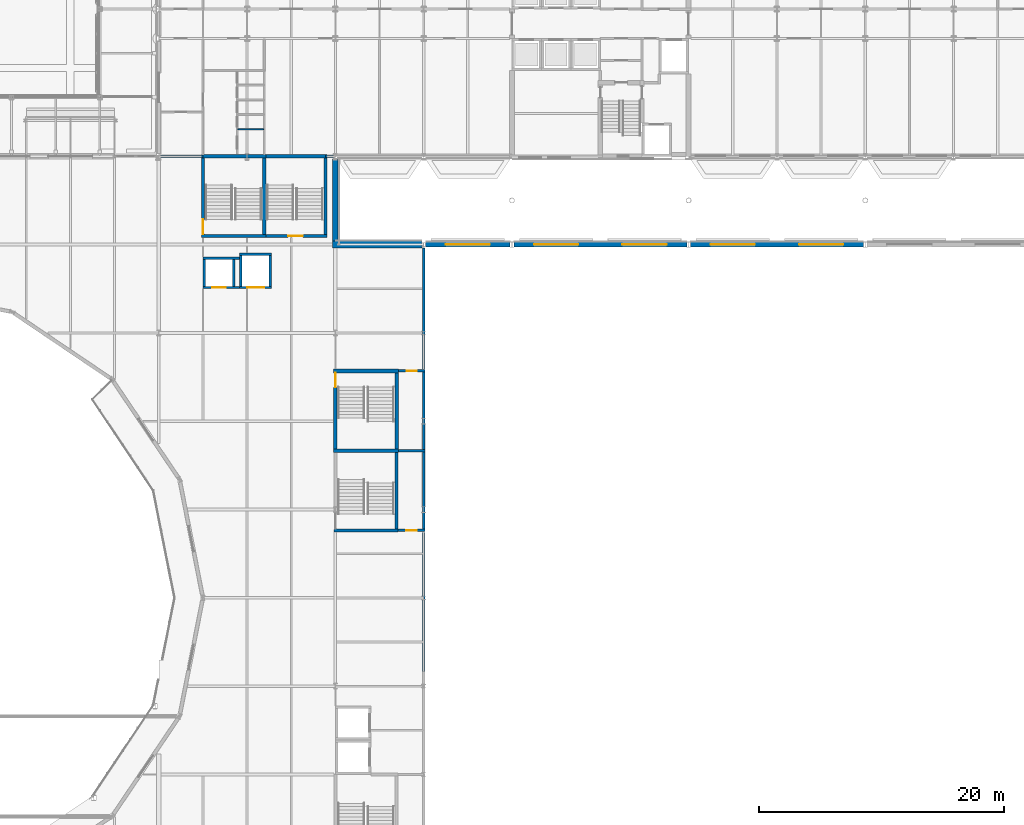
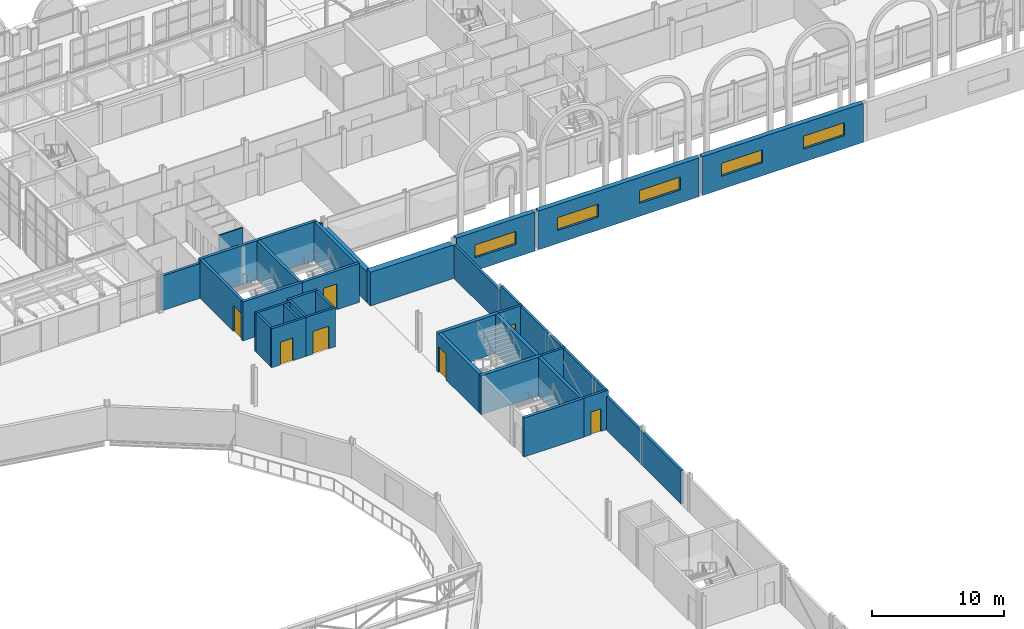
# One storey, part 76 of 143: 37 walls, 7 doors, 5 windows, 12 openings.
"""IFC4 building model written with IfcOpenShell, lengths in metres."""

from ifc_helpers import new_model, si_unit, direction, frame, frame_2d, origin, place, context, subcontext, project, spatial, rectangle, extrude, material, layer, layer_set, type_object, element, fill, save


model = new_model("IFC4")

# Units and contexts
model_context = context("Model", 3, precision=1e-05, world=origin(), true_north=direction((0.0, 1.0)))
body_context = subcontext(model_context, "Body", "Model", "MODEL_VIEW")
ifc_project = project(units=[si_unit("LENGTHUNIT", "METRE"), si_unit("AREAUNIT", "SQUARE_METRE"), si_unit("VOLUMEUNIT", "CUBIC_METRE"), si_unit("PLANEANGLEUNIT", "RADIAN"), si_unit("MASSUNIT", "GRAM", prefix="KILO")], contexts=[model_context])

# Site, building, storey
site_placement = place(None, origin())
site = spatial("IfcSite", under=ifc_project, at=site_placement, CompositionType="ELEMENT")
building_placement = place(site_placement, origin())
building = spatial("IfcBuilding", under=site, at=building_placement, Name="Kupolbacken Congress Centre", CompositionType="ELEMENT")
storey_placement = place(building_placement, frame((0.0, 0.0, 7.199951171875)))
storey = spatial("IfcBuildingStorey", under=building, at=storey_placement, Name="L02", CompositionType="ELEMENT", Elevation=7.199951171875)

# Wall, openings, windows
ifc_material_1 = material(Name="Brick", Category="masonry")
ifc_layer_1 = layer(ifc_material_1, 0.10791015625)
ifc_material_2 = material(Name="Air cavity", Category="air")
ifc_layer_2 = layer(ifc_material_2, 0.0400390625, ventilated=True)
ifc_material_3 = material(Name="Mineral wool", Category="insulation")
ifc_layer_3 = layer(ifc_material_3, 0.152099609375)
ifc_material_4 = material(Name="Concrete block", Category="masonry")
ifc_layer_4 = layer(ifc_material_4, 0.1201171875)
ifc_layer_set_1 = layer_set([ifc_layer_1, ifc_layer_2, ifc_layer_3, ifc_layer_4], Name="Brick / Mineral wool / Concrete block")
wall_type_1 = type_object("IfcWallType", Name="EW04 external cavity wall 420", PredefinedType="SOLIDWALL", material=ifc_layer_set_1)
wall_1_placement = place(storey_placement, frame((122.25, 115.199951171875, 0.0), z_axis=(0.0, 0.0, 1.0), x_axis=(-1.0, 0.0, 0.0)))
wall_1 = element("IfcWall", 1, at=wall_1_placement, inside=storey, type_object=wall_type_1, Name="E/H/N/L02/262", PredefinedType="SOLIDWALL", context=body_context, shape_type="SweptSolid", body=[
    extrude(rectangle(XDim=14.10009765625, YDim=0.419921875, at=frame_2d((7.050048828125, 0.0))), origin(), (0.0, 0.0, 1.0), 3.60009765625),
])
opening_1_placement = place(wall_1_placement, frame((8.85009765625, 0.0, 1.199951171875)))
opening_1 = element("IfcOpeningElement", 2, at=opening_1_placement, cuts=wall_1, Name="Opening W12", PredefinedType="OPENING", context=body_context, shape_type="SweptSolid", body=[
    extrude(rectangle(XDim=3.60009765625, YDim=1.199951171875, at=frame_2d((1.800048828125, 0.60009765625))), frame((0.0, 0.219970703125, 0.0), z_axis=(0.0, -1.0, 0.0), x_axis=(1.0, 0.0, 0.0)), (0.0, 0.0, 1.0), 0.43994140625),
])
opening_2_placement = place(wall_1_placement, frame((1.64990234375, 0.0, 1.199951171875)))
opening_2 = element("IfcOpeningElement", 3, at=opening_2_placement, cuts=wall_1, Name="Opening W12", PredefinedType="OPENING", context=body_context, shape_type="SweptSolid", body=[
    extrude(rectangle(XDim=3.60009765625, YDim=1.199951171875, at=frame_2d((1.800048828125, 0.60009765625))), frame((0.0, 0.219970703125, 0.0), z_axis=(0.0, -1.0, 0.0), x_axis=(1.0, 0.0, 0.0)), (0.0, 0.0, 1.0), 0.43994140625),
])
ifc_material_5 = material(Name="Aluminium frame with double or triple glazing", Category="aluminium")
window_type = type_object("IfcWindowType", Name="W12 window 3600x1200", PartitioningType="TRIPLE_PANEL_VERTICAL", PredefinedType="WINDOW", material=ifc_material_5)
window_1_placement = place(opening_1_placement, origin())
window_1 = element("IfcWindow", 4, at=window_1_placement, inside=storey, type_object=window_type, Name="E/H/N/L02/262/W1", OverallHeight=1.199951171875, OverallWidth=3.60009765625, PartitioningType="SINGLE_PANEL", PredefinedType="WINDOW", context=body_context, shape_type="SweptSolid", body=[
    extrude(rectangle(XDim=3.60009765625, YDim=1.199951171875, at=frame_2d((1.800048828125, 0.60009765625))), frame((0.0, 0.030029296875, 0.0), z_axis=(0.0, -1.0, 0.0), x_axis=(1.0, 0.0, 0.0)), (0.0, 0.0, 1.0), 0.06005859375),
])
fill(opening_1, window_1)
window_2_placement = place(opening_2_placement, origin())
window_2 = element("IfcWindow", 5, at=window_2_placement, inside=storey, type_object=window_type, Name="E/H/N/L02/262/W2", OverallHeight=1.199951171875, OverallWidth=3.60009765625, PartitioningType="SINGLE_PANEL", PredefinedType="WINDOW", context=body_context, shape_type="SweptSolid", body=[
    extrude(rectangle(XDim=3.60009765625, YDim=1.199951171875, at=frame_2d((1.800048828125, 0.60009765625))), frame((0.0, 0.030029296875, 0.0), z_axis=(0.0, -1.0, 0.0), x_axis=(1.0, 0.0, 0.0)), (0.0, 0.0, 1.0), 0.06005859375),
])
fill(opening_2, window_2)

wall_2_placement = place(storey_placement, frame((107.85009765625, 115.199951171875, 0.0), z_axis=(0.0, 0.0, 1.0), x_axis=(-1.0, 0.0, 0.0)))
wall_2 = element("IfcWall", 6, at=wall_2_placement, inside=storey, type_object=wall_type_1, Name="E/H/N/L02/263", PredefinedType="SOLIDWALL", context=body_context, shape_type="SweptSolid", body=[
    extrude(rectangle(XDim=14.10009765625, YDim=0.419921875, at=frame_2d((7.050048828125, 0.0))), origin(), (0.0, 0.0, 1.0), 3.60009765625),
])
opening_3_placement = place(wall_2_placement, frame((8.85009765625, 0.0, 1.199951171875)))
opening_3 = element("IfcOpeningElement", 7, at=opening_3_placement, cuts=wall_2, Name="Opening W12", PredefinedType="OPENING", context=body_context, shape_type="SweptSolid", body=[
    extrude(rectangle(XDim=3.60009765625, YDim=1.199951171875, at=frame_2d((1.800048828125, 0.60009765625))), frame((0.0, 0.219970703125, 0.0), z_axis=(0.0, -1.0, 0.0), x_axis=(1.0, 0.0, 0.0)), (0.0, 0.0, 1.0), 0.43994140625),
])
opening_4_placement = place(wall_2_placement, frame((1.64990234375, 0.0, 1.199951171875)))
opening_4 = element("IfcOpeningElement", 8, at=opening_4_placement, cuts=wall_2, Name="Opening W12", PredefinedType="OPENING", context=body_context, shape_type="SweptSolid", body=[
    extrude(rectangle(XDim=3.60009765625, YDim=1.199951171875, at=frame_2d((1.800048828125, 0.60009765625))), frame((0.0, 0.219970703125, 0.0), z_axis=(0.0, -1.0, 0.0), x_axis=(1.0, 0.0, 0.0)), (0.0, 0.0, 1.0), 0.43994140625),
])
window_3_placement = place(opening_3_placement, origin())
window_3 = element("IfcWindow", 9, at=window_3_placement, inside=storey, type_object=window_type, Name="E/H/N/L02/263/W1", OverallHeight=1.199951171875, OverallWidth=3.60009765625, PartitioningType="SINGLE_PANEL", PredefinedType="WINDOW", context=body_context, shape_type="SweptSolid", body=[
    extrude(rectangle(XDim=3.60009765625, YDim=1.199951171875, at=frame_2d((1.800048828125, 0.60009765625))), frame((0.0, 0.030029296875, 0.0), z_axis=(0.0, -1.0, 0.0), x_axis=(1.0, 0.0, 0.0)), (0.0, 0.0, 1.0), 0.06005859375),
])
fill(opening_3, window_3)
window_4_placement = place(opening_4_placement, origin())
window_4 = element("IfcWindow", 10, at=window_4_placement, inside=storey, type_object=window_type, Name="E/H/N/L02/263/W2", OverallHeight=1.199951171875, OverallWidth=3.60009765625, PartitioningType="SINGLE_PANEL", PredefinedType="WINDOW", context=body_context, shape_type="SweptSolid", body=[
    extrude(rectangle(XDim=3.60009765625, YDim=1.199951171875, at=frame_2d((1.800048828125, 0.60009765625))), frame((0.0, 0.030029296875, 0.0), z_axis=(0.0, -1.0, 0.0), x_axis=(1.0, 0.0, 0.0)), (0.0, 0.0, 1.0), 0.06005859375),
])
fill(opening_4, window_4)

# Wall, opening, window
wall_3_placement = place(storey_placement, frame((93.449951171875, 115.199951171875, 0.0), z_axis=(0.0, 0.0, 1.0), x_axis=(-1.0, 0.0, 0.0)))
wall_3 = element("IfcWall", 11, at=wall_3_placement, inside=storey, type_object=wall_type_1, Name="E/H/N/L02/264", PredefinedType="SOLIDWALL", context=body_context, shape_type="SweptSolid", body=[
    extrude(rectangle(XDim=6.89990234375, YDim=0.419921875, at=frame_2d((3.449951171875, 0.0))), origin(), (0.0, 0.0, 1.0), 3.60009765625),
])
opening_5_placement = place(wall_3_placement, frame((1.64990234375, 0.0, 1.199951171875)))
opening_5 = element("IfcOpeningElement", 12, at=opening_5_placement, cuts=wall_3, Name="Opening W12", PredefinedType="OPENING", context=body_context, shape_type="SweptSolid", body=[
    extrude(rectangle(XDim=3.60009765625, YDim=1.199951171875, at=frame_2d((1.800048828125, 0.60009765625))), frame((0.0, 0.219970703125, 0.0), z_axis=(0.0, -1.0, 0.0), x_axis=(1.0, 0.0, 0.0)), (0.0, 0.0, 1.0), 0.43994140625),
])
window_5_placement = place(opening_5_placement, origin())
window_5 = element("IfcWindow", 13, at=window_5_placement, inside=storey, type_object=window_type, Name="E/H/N/L02/264/W1", OverallHeight=1.199951171875, OverallWidth=3.60009765625, PartitioningType="SINGLE_PANEL", PredefinedType="WINDOW", context=body_context, shape_type="SweptSolid", body=[
    extrude(rectangle(XDim=3.60009765625, YDim=1.199951171875, at=frame_2d((1.800048828125, 0.60009765625))), frame((0.0, 0.030029296875, 0.0), z_axis=(0.0, -1.0, 0.0), x_axis=(1.0, 0.0, 0.0)), (0.0, 0.0, 1.0), 0.06005859375),
])
fill(opening_5, window_5)

# Walls
ifc_material_6 = material(Name="Limestone", Category="masonry")
ifc_layer_5 = layer(ifc_material_6, 0.1201171875)
ifc_layer_6 = layer(ifc_material_2, 0.0400390625, ventilated=True)
ifc_layer_7 = layer(ifc_material_3, 0.159912109375)
ifc_layer_8 = layer(ifc_material_4, 0.1201171875)
ifc_layer_set_2 = layer_set([ifc_layer_5, ifc_layer_6, ifc_layer_7, ifc_layer_8], Name="Limestone / Mineral wool / Concrete block")
wall_type_2 = type_object("IfcWallType", Name="EW05 external cavity wall 440", PredefinedType="SOLIDWALL", material=ifc_layer_set_2)
wall_4_placement = place(storey_placement, frame((79.199951171875, 115.47998046875, 0.0), z_axis=(0.0, 0.0, 1.0), x_axis=(0.0, 1.0, 0.0)))
element("IfcWall", 14, at=wall_4_placement, inside=storey, type_object=wall_type_2, Name="E/P/E/L02/276", PredefinedType="SOLIDWALL", context=body_context, shape_type="SweptSolid", body=[
    extrude(rectangle(XDim=6.7041015625, YDim=0.43994140625, at=frame_2d((3.35205078125, 0.0))), origin(), (0.0, 0.0, 1.0), 2.820068359375),
])
ifc_material_7 = material(Name="Concrete C40/50", Category="concrete")
ifc_layer_9 = layer(ifc_material_7, 0.199951171875)
ifc_layer_10 = layer(ifc_material_3, 0.199951171875)
ifc_layer_11 = layer(ifc_material_2, 0.0400390625, ventilated=True)
ifc_layer_12 = layer(ifc_material_6, 0.1201171875)
ifc_layer_set_3 = layer_set([ifc_layer_9, ifc_layer_10, ifc_layer_11, ifc_layer_12], Name="Concrete C40/50 / Mineral wool / Limestone")
wall_type_3 = type_object("IfcWallType", Name="EW09 external cavity wall 560", PredefinedType="SOLIDWALL", material=ifc_layer_set_3)
wall_5_placement = place(storey_placement, frame((86.25, 115.199951171875, 0.0), z_axis=(0.0, 0.0, 1.0), x_axis=(-1.0, 0.0, 0.0)))
element("IfcWall", 15, at=wall_5_placement, inside=storey, type_object=wall_type_3, Name="E/LINK/N/L02/274", PredefinedType="SOLIDWALL", context=body_context, shape_type="SweptSolid", body=[
    extrude(rectangle(XDim=7.27001953125, YDim=0.56005859375, at=frame_2d((3.635009765625, 0.0))), origin(), (0.0, 0.0, 1.0), 3.1201171875),
])
ifc_material_8 = material(Name="Gypsum board", Category="drywall")
ifc_layer_13 = layer(ifc_material_8, 0.114990234375)
ifc_layer_set_4 = layer_set([ifc_layer_13], Name="Gypsum board")
wall_type_4 = type_object("IfcWallType", Name="P04 partition 115", PredefinedType="PARTITIONING", material=ifc_layer_set_4)
wall_6_placement = place(storey_placement, frame((71.257568359375, 124.60009765625, 0.0), z_axis=(0.0, 0.0, 1.0), x_axis=(1.0, 0.0, 0.0)))
element("IfcWall", 16, at=wall_6_placement, inside=storey, type_object=wall_type_4, Name="T/wall/L02/x/12460/7120", PredefinedType="PARTITIONING", context=body_context, shape_type="SweptSolid", body=[
    extrude(rectangle(XDim=2.0849609375, YDim=0.114990234375, at=frame_2d((1.04248046875, 0.0))), origin(), (0.0, 0.0, 1.0), 3.420166015625),
])
ifc_material_9 = material(Name="Gypsum board", Category="drywall")
ifc_layer_14 = layer(ifc_material_9, 0.22509765625)
ifc_layer_set_5 = layer_set([ifc_layer_14], Name="Gypsum board")
wall_type_5 = type_object("IfcWallType", Name="P11 compartment wall 225", PredefinedType="PARTITIONING", material=ifc_layer_set_5)
wall_7_placement = place(storey_placement, frame((64.949951171875, 122.39990234375, 0.0), z_axis=(0.0, 0.0, 1.0), x_axis=(1.0, 0.0, 0.0)))
element("IfcWall", 17, at=wall_7_placement, inside=storey, type_object=wall_type_5, Name="E/T/party/L02/05", PredefinedType="PARTITIONING", context=body_context, shape_type="SweptSolid", body=[
    extrude(rectangle(XDim=3.449951171875, YDim=0.22509765625, at=frame_2d((1.72509765625, 0.0))), origin(), (0.0, 0.0, 1.0), 3.219970703125),
])
wall_8_placement = place(storey_placement, frame((78.39990234375, 122.39990234375, 0.0), z_axis=(0.0, 0.0, 1.0), x_axis=(1.0, 0.0, 0.0)))
element("IfcWall", 18, at=wall_8_placement, inside=storey, type_object=wall_type_5, Name="E/T/party/L02/06", PredefinedType="PARTITIONING", context=body_context, shape_type="SweptSolid", body=[
    extrude(rectangle(XDim=0.646484375, YDim=0.22509765625, at=frame_2d((0.3232421875, 0.0))), origin(), (0.0, 0.0, 1.0), 3.219970703125),
])
ifc_material_10 = material(Name="Dense concrete block", Category="masonry")
ifc_layer_15 = layer(ifc_material_10, 0.215087890625)
ifc_layer_set_6 = layer_set([ifc_layer_15], Name="Dense concrete block")
wall_type_6 = type_object("IfcWallType", Name="P15 partition 215", PredefinedType="PARTITIONING", material=ifc_layer_set_6)
wall_9_placement = place(storey_placement, frame((86.39990234375, 80.39990234375, 0.0), z_axis=(0.0, 0.0, 1.0), x_axis=(0.0, 1.0, 0.0)))
element("IfcWall", 19, at=wall_9_placement, inside=storey, type_object=wall_type_6, Name="PD/L02/W008", PredefinedType="PARTITIONING", context=body_context, shape_type="SweptSolid", body=[
    extrude(rectangle(XDim=11.340087890625, YDim=0.215087890625, at=frame_2d((5.669921875, 0.0))), origin(), (0.0, 0.0, 1.0), 3.1201171875),
])
wall_10_placement = place(storey_placement, frame((86.39990234375, 105.06005859375, 0.0), z_axis=(0.0, 0.0, 1.0), x_axis=(0.0, 1.0, 0.0)))
element("IfcWall", 20, at=wall_10_placement, inside=storey, type_object=wall_type_6, Name="PD/L02/W009", PredefinedType="PARTITIONING", context=body_context, shape_type="SweptSolid", body=[
    extrude(rectangle(XDim=2.794921875, YDim=0.215087890625, at=frame_2d((1.3974609375, 0.0))), origin(), (0.0, 0.0, 1.0), 3.60009765625),
])
wall_11_placement = place(storey_placement, frame((86.39990234375, 107.85498046875, 0.0), z_axis=(0.0, 0.0, 1.0), x_axis=(0.0, 1.0, 0.0)))
element("IfcWall", 21, at=wall_11_placement, inside=storey, type_object=wall_type_6, Name="PD/L02/W009.h1", PredefinedType="PARTITIONING", context=body_context, shape_type="SweptSolid", body=[
    extrude(rectangle(XDim=7.06494140625, YDim=0.215087890625, at=frame_2d((3.532470703125, 0.0))), origin(), (0.0, 0.0, 1.0), 3.1201171875),
])

# Wall, opening, door
ifc_material_11 = material(Name="Concrete C40/50", Category="concrete")
ifc_layer_16 = layer(ifc_material_11, 0.199951171875)
ifc_layer_set_7 = layer_set([ifc_layer_16], Name="Concrete C40/50")
wall_type_7 = type_object("IfcWallType", Name="WC1 RC shaft wall 200", PredefinedType="SHEAR", material=ifc_layer_set_7)
wall_12_placement = place(storey_placement, frame((84.324951171875, 91.89990234375, 0.0), z_axis=(0.0, 0.0, 1.0), x_axis=(1.0, 0.0, 0.0)))
wall_12 = element("IfcWall", 22, at=wall_12_placement, inside=storey, type_object=wall_type_7, Name="Shaft wall L02-053", PredefinedType="SHEAR", context=body_context, shape_type="SweptSolid", body=[
    extrude(rectangle(XDim=2.175048828125, YDim=0.199951171875, at=frame_2d((1.08740234375, 0.0))), origin(), (0.0, 0.0, 1.0), 3.60009765625),
])
opening_6_placement = place(wall_12_placement, frame((0.64990234375, 0.0, 0.0)))
opening_6 = element("IfcOpeningElement", 23, at=opening_6_placement, cuts=wall_12, Name="Opening 2.L08", PredefinedType="OPENING", context=body_context, shape_type="SweptSolid", body=[
    extrude(rectangle(XDim=0.85009765625, YDim=2.10009765625, at=frame_2d((0.425048828125, 1.050048828125))), frame((0.0, 0.10986328125, 0.0), z_axis=(0.0, -1.0, 0.0), x_axis=(1.0, 0.0, 0.0)), (0.0, 0.0, 1.0), 0.219970703125),
])
ifc_material_12 = material(Name="Steel fire door leaf", Category="steel")
door_type_1 = type_object("IfcDoorType", Name="D3 fire door 850x2100", OperationType="SINGLE_SWING_LEFT", PredefinedType="DOOR", material=ifc_material_12)
door_1_placement = place(opening_6_placement, origin())
door_1 = element("IfcDoor", 24, at=door_1_placement, inside=storey, type_object=door_type_1, Name="S/core/L02/053/D2L08", OperationType="SINGLE_SWING_LEFT", OverallHeight=2.10009765625, OverallWidth=0.85009765625, PredefinedType="DOOR", context=body_context, shape_type="SweptSolid", body=[
    extrude(rectangle(XDim=0.85009765625, YDim=2.10009765625, at=frame_2d((0.425048828125, 1.050048828125))), frame((0.0, 0.02490234375, 0.0), z_axis=(0.0, -1.0, 0.0), x_axis=(1.0, 0.0, 0.0)), (0.0, 0.0, 1.0), 0.050048828125),
])
fill(opening_6, door_1)

# Walls
wall_13_placement = place(storey_placement, frame((86.39990234375, 91.800048828125, 0.0), z_axis=(0.0, 0.0, 1.0), x_axis=(0.0, 1.0, 0.0)))
element("IfcWall", 25, at=wall_13_placement, inside=storey, type_object=wall_type_7, Name="Shaft wall L02-055", PredefinedType="SHEAR", context=body_context, shape_type="SweptSolid", body=[
    extrude(rectangle(XDim=6.699951171875, YDim=0.199951171875, at=frame_2d((3.35009765625, 0.0))), origin(), (0.0, 0.0, 1.0), 3.60009765625),
])
wall_14_placement = place(storey_placement, frame((84.35009765625, 98.39990234375, 0.0), z_axis=(0.0, 0.0, 1.0), x_axis=(1.0, 0.0, 0.0)))
element("IfcWall", 26, at=wall_14_placement, inside=storey, type_object=wall_type_7, Name="Shaft wall L02-058", PredefinedType="SHEAR", context=body_context, shape_type="SweptSolid", body=[
    extrude(rectangle(XDim=2.14990234375, YDim=0.199951171875, at=frame_2d((1.074951171875, 0.0))), origin(), (0.0, 0.0, 1.0), 3.60009765625),
])
wall_15_placement = place(storey_placement, frame((86.39990234375, 98.5, 0.0), z_axis=(0.0, 0.0, 1.0), x_axis=(0.0, 1.0, 0.0)))
element("IfcWall", 27, at=wall_15_placement, inside=storey, type_object=wall_type_7, Name="Shaft wall L02-060", PredefinedType="SHEAR", context=body_context, shape_type="SweptSolid", body=[
    extrude(rectangle(XDim=6.5, YDim=0.199951171875, at=frame_2d((3.25, 0.0))), origin(), (0.0, 0.0, 1.0), 3.60009765625),
])

# Wall, opening, door
wall_16_placement = place(storey_placement, frame((86.5, 104.89990234375, 0.0), z_axis=(0.0, 0.0, 1.0), x_axis=(-1.0, 0.0, 0.0)))
wall_16 = element("IfcWall", 28, at=wall_16_placement, inside=storey, type_object=wall_type_7, Name="Shaft wall L02-063", PredefinedType="SHEAR", context=body_context, shape_type="SweptSolid", body=[
    extrude(rectangle(XDim=2.14990234375, YDim=0.199951171875, at=frame_2d((1.074951171875, 0.0))), origin(), (0.0, 0.0, 1.0), 3.60009765625),
])
opening_7_placement = place(wall_16_placement, frame((0.64990234375, 0.0, 0.0)))
opening_7 = element("IfcOpeningElement", 29, at=opening_7_placement, cuts=wall_16, Name="Opening 2.L06", PredefinedType="OPENING", context=body_context, shape_type="SweptSolid", body=[
    extrude(rectangle(XDim=0.85009765625, YDim=2.10009765625, at=frame_2d((0.425048828125, 1.050048828125))), frame((0.0, 0.10986328125, 0.0), z_axis=(0.0, -1.0, 0.0), x_axis=(1.0, 0.0, 0.0)), (0.0, 0.0, 1.0), 0.219970703125),
])
door_2_placement = place(opening_7_placement, origin())
door_2 = element("IfcDoor", 30, at=door_2_placement, inside=storey, type_object=door_type_1, Name="S/core/L02/063/D2L06", OperationType="SINGLE_SWING_RIGHT", OverallHeight=2.10009765625, OverallWidth=0.85009765625, PredefinedType="DOOR", context=body_context, shape_type="SweptSolid", body=[
    extrude(rectangle(XDim=0.85009765625, YDim=2.10009765625, at=frame_2d((0.425048828125, 1.050048828125))), frame((0.0, 0.02490234375, 0.0), z_axis=(0.0, -1.0, 0.0), x_axis=(1.0, 0.0, 0.0)), (0.0, 0.0, 1.0), 0.050048828125),
])
fill(opening_7, door_2)

wall_17_placement = place(storey_placement, frame((68.39990234375, 111.699951171875, 0.0), z_axis=(0.0, 0.0, 1.0), x_axis=(1.0, 0.0, 0.0)))
wall_17 = element("IfcWall", 31, at=wall_17_placement, inside=storey, type_object=wall_type_7, Name="Shaft wall LP8", PredefinedType="SHEAR", context=body_context, shape_type="SweptSolid", body=[
    extrude(rectangle(XDim=3.0, YDim=0.199951171875, at=frame_2d((1.5, 0.0))), origin(), (0.0, 0.0, 1.0), 3.60009765625),
])
opening_8_placement = place(wall_17_placement, frame((0.75, 0.0, 0.0)))
opening_8 = element("IfcOpeningElement", 32, at=opening_8_placement, cuts=wall_17, Name="Opening LD2", PredefinedType="OPENING", context=body_context, shape_type="SweptSolid", body=[
    extrude(rectangle(XDim=1.10009765625, YDim=2.10009765625, at=frame_2d((0.550048828125, 1.050048828125))), frame((0.0, 0.10986328125, 0.0), z_axis=(0.0, -1.0, 0.0), x_axis=(1.0, 0.0, 0.0)), (0.0, 0.0, 1.0), 0.219970703125),
])
ifc_material_13 = material(Name="Stainless steel door leaf", Category="steel")
door_type_2 = type_object("IfcDoorType", Name="LD2 lift landing door 1100x2100", OperationType="SLIDING_TO_LEFT", PredefinedType="DOOR", material=ifc_material_13)
door_3_placement = place(opening_8_placement, origin())
door_3 = element("IfcDoor", 33, at=door_3_placement, inside=storey, type_object=door_type_2, Name="Lift landing door LP8", OperationType="SLIDING_TO_LEFT", OverallHeight=2.10009765625, OverallWidth=1.10009765625, PredefinedType="DOOR", context=body_context, shape_type="SweptSolid", body=[
    extrude(rectangle(XDim=1.10009765625, YDim=2.10009765625, at=frame_2d((0.550048828125, 1.050048828125))), frame((0.0, 0.02490234375, 0.0), z_axis=(0.0, -1.0, 0.0), x_axis=(1.0, 0.0, 0.0)), (0.0, 0.0, 1.0), 0.050048828125),
])
fill(opening_8, door_3)

# Walls
wall_18_placement = place(storey_placement, frame((68.39990234375, 114.10009765625, 0.0), z_axis=(0.0, 0.0, 1.0), x_axis=(1.0, 0.0, 0.0)))
element("IfcWall", 34, at=wall_18_placement, inside=storey, type_object=wall_type_7, Name="Shaft wall LP8", PredefinedType="SHEAR", context=body_context, shape_type="SweptSolid", body=[
    extrude(rectangle(XDim=3.0, YDim=0.199951171875, at=frame_2d((1.5, 0.0))), origin(), (0.0, 0.0, 1.0), 3.60009765625),
])
for number, where, z_axis, x_axis, name in (
    (35, (68.5, 111.800048828125, 0.0), (0.0, 0.0, 1.0), (0.0, 1.0, 0.0), "Shaft wall LP8"),
    (36, (70.89990234375, 111.800048828125, 0.0), (0.0, 0.0, 1.0), (0.0, 1.0, 0.0), "Shaft wall LP8"),
):
    element("IfcWall", number, at=place(storey_placement, frame(where, z_axis=z_axis, x_axis=x_axis)), inside=storey, type_object=wall_type_7, Name=name, PredefinedType="SHEAR", context=body_context, shape_type="SweptSolid", body=[
        extrude(rectangle(XDim=2.199951171875, YDim=0.199951171875, at=frame_2d((1.10009765625, 0.0))), origin(), (0.0, 0.0, 1.0), 3.60009765625),
    ])

# Wall, opening, door
wall_19_placement = place(storey_placement, frame((71.39990234375, 111.699951171875, 0.0), z_axis=(0.0, 0.0, 1.0), x_axis=(1.0, 0.0, 0.0)))
wall_19 = element("IfcWall", 37, at=wall_19_placement, inside=storey, type_object=wall_type_7, Name="Shaft wall LG2", PredefinedType="SHEAR", context=body_context, shape_type="SweptSolid", body=[
    extrude(rectangle(XDim=2.60009765625, YDim=0.199951171875, at=frame_2d((1.300048828125, 0.0))), origin(), (0.0, 0.0, 1.0), 3.60009765625),
])
opening_9_placement = place(wall_19_placement, frame((0.60009765625, 0.0, 0.0)))
opening_9 = element("IfcOpeningElement", 38, at=opening_9_placement, cuts=wall_19, Name="Opening LD3", PredefinedType="OPENING", context=body_context, shape_type="SweptSolid", body=[
    extrude(rectangle(XDim=1.39990234375, YDim=2.10009765625, at=frame_2d((0.699951171875, 1.050048828125))), frame((0.0, 0.10986328125, 0.0), z_axis=(0.0, -1.0, 0.0), x_axis=(1.0, 0.0, 0.0)), (0.0, 0.0, 1.0), 0.219970703125),
])
ifc_material_14 = material(Name="Stainless steel door leaf", Category="steel")
door_type_3 = type_object("IfcDoorType", Name="LD3 lift landing door 1400x2100", OperationType="SLIDING_TO_LEFT", PredefinedType="DOOR", material=ifc_material_14)
door_4_placement = place(opening_9_placement, origin())
door_4 = element("IfcDoor", 39, at=door_4_placement, inside=storey, type_object=door_type_3, Name="Lift landing door LG2", OperationType="SLIDING_TO_LEFT", OverallHeight=2.10009765625, OverallWidth=1.39990234375, PredefinedType="DOOR", context=body_context, shape_type="SweptSolid", body=[
    extrude(rectangle(XDim=1.39990234375, YDim=2.10009765625, at=frame_2d((0.699951171875, 1.050048828125))), frame((0.0, 0.02490234375, 0.0), z_axis=(0.0, -1.0, 0.0), x_axis=(1.0, 0.0, 0.0)), (0.0, 0.0, 1.0), 0.050048828125),
])
fill(opening_9, door_4)

# Walls
wall_20_placement = place(storey_placement, frame((71.39990234375, 114.39990234375, 0.0), z_axis=(0.0, 0.0, 1.0), x_axis=(1.0, 0.0, 0.0)))
element("IfcWall", 40, at=wall_20_placement, inside=storey, type_object=wall_type_7, Name="Shaft wall LG2", PredefinedType="SHEAR", context=body_context, shape_type="SweptSolid", body=[
    extrude(rectangle(XDim=2.60009765625, YDim=0.199951171875, at=frame_2d((1.300048828125, 0.0))), origin(), (0.0, 0.0, 1.0), 3.60009765625),
])
for number, where, z_axis, x_axis, name in (
    (41, (71.5, 111.800048828125, 0.0), (0.0, 0.0, 1.0), (0.0, 1.0, 0.0), "Shaft wall LG2"),
    (42, (73.89990234375, 111.800048828125, 0.0), (0.0, 0.0, 1.0), (0.0, 1.0, 0.0), "Shaft wall LG2"),
):
    element("IfcWall", number, at=place(storey_placement, frame(where, z_axis=z_axis, x_axis=x_axis)), inside=storey, type_object=wall_type_7, Name=name, PredefinedType="SHEAR", context=body_context, shape_type="SweptSolid", body=[
        extrude(rectangle(XDim=2.5, YDim=0.199951171875, at=frame_2d((1.25, 0.0))), origin(), (0.0, 0.0, 1.0), 3.60009765625),
    ])
ifc_material_15 = material(Name="Concrete C40/50", Category="concrete")
ifc_layer_17 = layer(ifc_material_15, 0.25)
ifc_layer_set_8 = layer_set([ifc_layer_17], Name="Concrete C40/50")
wall_type_8 = type_object("IfcWallType", Name="WC2 RC stair enclosure wall 250", PredefinedType="SHEAR", material=ifc_layer_set_8)
wall_21_placement = place(storey_placement, frame((79.074951171875, 91.89990234375, 0.0), z_axis=(0.0, 0.0, 1.0), x_axis=(1.0, 0.0, 0.0)))
element("IfcWall", 43, at=wall_21_placement, inside=storey, type_object=wall_type_8, Name="Stair enclosure wall L02-052", PredefinedType="SHEAR", context=body_context, shape_type="SweptSolid", body=[
    extrude(rectangle(XDim=5.25, YDim=0.25, at=frame_2d((2.625, 0.0))), origin(), (0.0, 0.0, 1.0), 3.60009765625),
])
wall_22_placement = place(storey_placement, frame((84.199951171875, 91.77490234375, 0.0), z_axis=(0.0, 0.0, 1.0), x_axis=(0.0, 1.0, 0.0)))
element("IfcWall", 44, at=wall_22_placement, inside=storey, type_object=wall_type_8, Name="Stair enclosure wall L02-054", PredefinedType="SHEAR", context=body_context, shape_type="SweptSolid", body=[
    extrude(rectangle(XDim=6.775146484375, YDim=0.25, at=frame_2d((3.3876953125, 0.0))), origin(), (0.0, 0.0, 1.0), 3.60009765625),
])
wall_23_placement = place(storey_placement, frame((68.27490234375, 115.89990234375, 0.0), z_axis=(0.0, 0.0, 1.0), x_axis=(1.0, 0.0, 0.0)))
element("IfcWall", 45, at=wall_23_placement, inside=storey, type_object=wall_type_8, Name="Stair enclosure wall L02-068", PredefinedType="SHEAR", context=body_context, shape_type="SweptSolid", body=[
    extrude(rectangle(XDim=5.25, YDim=0.25, at=frame_2d((2.625, 0.0))), origin(), (0.0, 0.0, 1.0), 3.60009765625),
])

# Wall, opening, door
wall_24_placement = place(storey_placement, frame((73.52490234375, 115.89990234375, 0.0), z_axis=(0.0, 0.0, 1.0), x_axis=(1.0, 0.0, 0.0)))
wall_24 = element("IfcWall", 46, at=wall_24_placement, inside=storey, type_object=wall_type_8, Name="Stair enclosure wall L02-069", PredefinedType="SHEAR", context=body_context, shape_type="SweptSolid", body=[
    extrude(rectangle(XDim=5.0, YDim=0.25, at=frame_2d((2.5, 0.0))), origin(), (0.0, 0.0, 1.0), 3.60009765625),
])
opening_10_placement = place(wall_24_placement, frame((1.824951171875, 0.0, 0.0)))
opening_10 = element("IfcOpeningElement", 47, at=opening_10_placement, cuts=wall_24, Name="Opening 2.P08", PredefinedType="OPENING", context=body_context, shape_type="SweptSolid", body=[
    extrude(rectangle(XDim=1.199951171875, YDim=2.39990234375, at=frame_2d((0.60009765625, 1.199951171875))), frame((0.0, 0.135009765625, 0.0), z_axis=(0.0, -1.0, 0.0), x_axis=(1.0, 0.0, 0.0)), (0.0, 0.0, 1.0), 0.27001953125),
])
ifc_material_16 = material(Name="Steel fire door leaf", Category="steel")
door_type_4 = type_object("IfcDoorType", Name="D9 fire door 1200x2400", OperationType="SINGLE_SWING_LEFT", PredefinedType="DOOR", material=ifc_material_16)
door_5_placement = place(opening_10_placement, origin())
door_5 = element("IfcDoor", 48, at=door_5_placement, inside=storey, type_object=door_type_4, Name="S/core/L02/069/D2P08", OperationType="SINGLE_SWING_LEFT", OverallHeight=2.39990234375, OverallWidth=1.199951171875, PredefinedType="DOOR", context=body_context, shape_type="SweptSolid", body=[
    extrude(rectangle(XDim=1.199951171875, YDim=2.39990234375, at=frame_2d((0.60009765625, 1.199951171875))), frame((0.0, 0.02490234375, 0.0), z_axis=(0.0, -1.0, 0.0), x_axis=(1.0, 0.0, 0.0)), (0.0, 0.0, 1.0), 0.050048828125),
])
fill(opening_10, door_5)

# Walls
for number, where, z_axis, x_axis, name in (
    (49, (73.39990234375, 115.77490234375, 0.0), (0.0, 0.0, 1.0), (0.0, 1.0, 0.0), "Stair enclosure wall L02-070"),
    (50, (78.39990234375, 115.77490234375, 0.0), (0.0, 0.0, 1.0), (0.0, 1.0, 0.0), "Stair enclosure wall L02-071"),
):
    element("IfcWall", number, at=place(storey_placement, frame(where, z_axis=z_axis, x_axis=x_axis)), inside=storey, type_object=wall_type_8, Name=name, PredefinedType="SHEAR", context=body_context, shape_type="SweptSolid", body=[
        extrude(rectangle(XDim=6.75, YDim=0.25, at=frame_2d((3.375, 0.0))), origin(), (0.0, 0.0, 1.0), 3.60009765625),
    ])

# Wall, opening, door
wall_25_placement = place(storey_placement, frame((68.39990234375, 122.52490234375, 0.0), z_axis=(0.0, 0.0, 1.0), x_axis=(0.0, -1.0, 0.0)))
wall_25 = element("IfcWall", 51, at=wall_25_placement, inside=storey, type_object=wall_type_8, Name="Stair enclosure wall L02-075", PredefinedType="SHEAR", context=body_context, shape_type="SweptSolid", body=[
    extrude(rectangle(XDim=6.75, YDim=0.25, at=frame_2d((3.375, 0.0))), origin(), (0.0, 0.0, 1.0), 3.60009765625),
])
opening_11_placement = place(wall_25_placement, frame((5.27490234375, 0.0, 0.0)))
opening_11 = element("IfcOpeningElement", 52, at=opening_11_placement, cuts=wall_25, Name="Opening 2.P07", PredefinedType="OPENING", context=body_context, shape_type="SweptSolid", body=[
    extrude(rectangle(XDim=1.199951171875, YDim=2.39990234375, at=frame_2d((0.60009765625, 1.199951171875))), frame((0.0, 0.135009765625, 0.0), z_axis=(0.0, -1.0, 0.0), x_axis=(1.0, 0.0, 0.0)), (0.0, 0.0, 1.0), 0.27001953125),
])
door_6_placement = place(opening_11_placement, origin())
door_6 = element("IfcDoor", 53, at=door_6_placement, inside=storey, type_object=door_type_4, Name="S/core/L02/075/D2P07", OperationType="SINGLE_SWING_LEFT", OverallHeight=2.39990234375, OverallWidth=1.199951171875, PredefinedType="DOOR", context=body_context, shape_type="SweptSolid", body=[
    extrude(rectangle(XDim=1.199951171875, YDim=2.39990234375, at=frame_2d((0.60009765625, 1.199951171875))), frame((0.0, 0.02490234375, 0.0), z_axis=(0.0, -1.0, 0.0), x_axis=(1.0, 0.0, 0.0)), (0.0, 0.0, 1.0), 0.050048828125),
])
fill(opening_11, door_6)

# Walls
wall_26_placement = place(storey_placement, frame((73.52490234375, 122.39990234375, 0.0), z_axis=(0.0, 0.0, 1.0), x_axis=(-1.0, 0.0, 0.0)))
element("IfcWall", 54, at=wall_26_placement, inside=storey, type_object=wall_type_8, Name="Stair enclosure wall L02-076", PredefinedType="SHEAR", context=body_context, shape_type="SweptSolid", body=[
    extrude(rectangle(XDim=5.25, YDim=0.25, at=frame_2d((2.625, 0.0))), origin(), (0.0, 0.0, 1.0), 3.60009765625),
])
wall_27_placement = place(storey_placement, frame((78.52490234375, 122.39990234375, 0.0), z_axis=(0.0, 0.0, 1.0), x_axis=(-1.0, 0.0, 0.0)))
element("IfcWall", 55, at=wall_27_placement, inside=storey, type_object=wall_type_8, Name="Stair enclosure wall L02-077", PredefinedType="SHEAR", context=body_context, shape_type="SweptSolid", body=[
    extrude(rectangle(XDim=5.0, YDim=0.25, at=frame_2d((2.5, 0.0))), origin(), (0.0, 0.0, 1.0), 3.60009765625),
])
ifc_material_17 = material(Name="Concrete C40/50", Category="concrete")
ifc_layer_18 = layer(ifc_material_17, 0.300048828125)
ifc_layer_set_9 = layer_set([ifc_layer_18], Name="Concrete C40/50")
wall_type_9 = type_object("IfcWallType", Name="WC3 RC core wall 300", PredefinedType="SHEAR", material=ifc_layer_set_9)
wall_28_placement = place(storey_placement, frame((84.35009765625, 98.39990234375, 0.0), z_axis=(0.0, 0.0, 1.0), x_axis=(-1.0, 0.0, 0.0)))
element("IfcWall", 56, at=wall_28_placement, inside=storey, type_object=wall_type_9, Name="Core wall L02-057", PredefinedType="SHEAR", context=body_context, shape_type="SweptSolid", body=[
    extrude(rectangle(XDim=5.300048828125, YDim=0.300048828125, at=frame_2d((2.64990234375, 0.0))), origin(), (0.0, 0.0, 1.0), 3.60009765625),
])
wall_29_placement = place(storey_placement, frame((84.199951171875, 98.550048828125, 0.0), z_axis=(0.0, 0.0, 1.0), x_axis=(0.0, 1.0, 0.0)))
element("IfcWall", 57, at=wall_29_placement, inside=storey, type_object=wall_type_9, Name="Core wall L02-059", PredefinedType="SHEAR", context=body_context, shape_type="SweptSolid", body=[
    extrude(rectangle(XDim=6.5, YDim=0.300048828125, at=frame_2d((3.25, 0.0))), origin(), (0.0, 0.0, 1.0), 3.60009765625),
])

# Wall, opening, door
wall_30_placement = place(storey_placement, frame((79.199951171875, 105.050048828125, 0.0), z_axis=(0.0, 0.0, 1.0), x_axis=(0.0, -1.0, 0.0)))
wall_30 = element("IfcWall", 58, at=wall_30_placement, inside=storey, type_object=wall_type_9, Name="Core wall L02-061", PredefinedType="SHEAR", context=body_context, shape_type="SweptSolid", body=[
    extrude(rectangle(XDim=6.5, YDim=0.300048828125, at=frame_2d((3.25, 0.0))), origin(), (0.0, 0.0, 1.0), 3.60009765625),
])
opening_12_placement = place(wall_30_placement, frame((0.300048828125, 0.0, 0.0)))
opening_12 = element("IfcOpeningElement", 59, at=opening_12_placement, cuts=wall_30, Name="Opening 2.L04", PredefinedType="OPENING", context=body_context, shape_type="SweptSolid", body=[
    extrude(rectangle(XDim=1.199951171875, YDim=2.39990234375, at=frame_2d((0.60009765625, 1.199951171875))), frame((0.0, 0.159912109375, 0.0), z_axis=(0.0, -1.0, 0.0), x_axis=(1.0, 0.0, 0.0)), (0.0, 0.0, 1.0), 0.320068359375),
])
door_7_placement = place(opening_12_placement, origin())
door_7 = element("IfcDoor", 60, at=door_7_placement, inside=storey, type_object=door_type_4, Name="S/core/L02/061/D2L04", OperationType="SINGLE_SWING_RIGHT", OverallHeight=2.39990234375, OverallWidth=1.199951171875, PredefinedType="DOOR", context=body_context, shape_type="SweptSolid", body=[
    extrude(rectangle(XDim=1.199951171875, YDim=2.39990234375, at=frame_2d((0.60009765625, 1.199951171875))), frame((0.0, 0.02490234375, 0.0), z_axis=(0.0, -1.0, 0.0), x_axis=(1.0, 0.0, 0.0)), (0.0, 0.0, 1.0), 0.050048828125),
])
fill(opening_12, door_7)

# Wall
wall_31_placement = place(storey_placement, frame((84.35009765625, 104.89990234375, 0.0), z_axis=(0.0, 0.0, 1.0), x_axis=(-1.0, 0.0, 0.0)))
element("IfcWall", 61, at=wall_31_placement, inside=storey, type_object=wall_type_9, Name="Core wall L02-062", PredefinedType="SHEAR", context=body_context, shape_type="SweptSolid", body=[
    extrude(rectangle(XDim=5.300048828125, YDim=0.300048828125, at=frame_2d((2.64990234375, 0.0))), origin(), (0.0, 0.0, 1.0), 3.60009765625),
])

save(model, "model.ifc")
